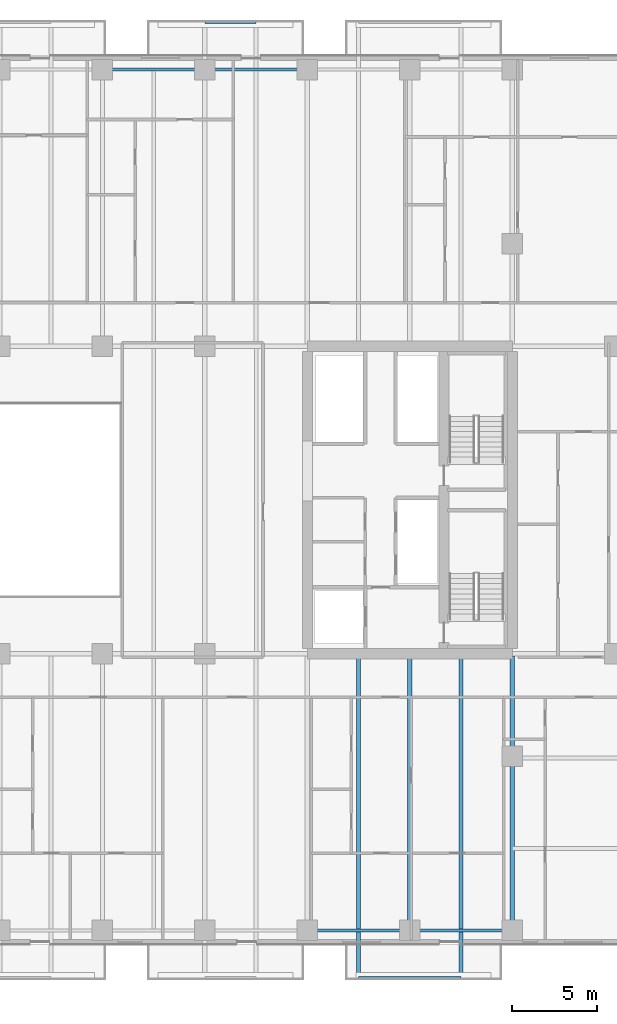
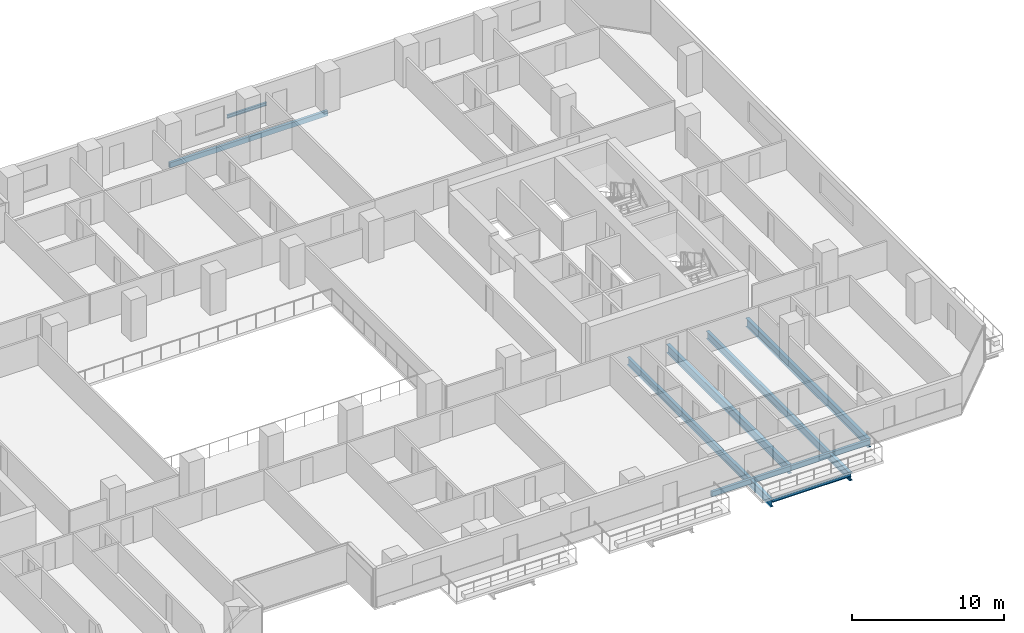
# One storey, part 12 of 33: 10 beams.
"""IFC4 building model written with IfcOpenShell, lengths in metres."""

from ifc_helpers import new_model, si_unit, direction, frame, origin, origin_2d, place, context, subcontext, project, spatial, hollow_rectangle, i_section, extrude, material, material_profile, profile_set, type_object, element, save


model = new_model("IFC4")

# Units and contexts
model_context = context("Model", 3, precision=1e-05, world=origin(), true_north=direction((0.0, 1.0)))
body_context = subcontext(model_context, "Body", "Model", "MODEL_VIEW")
ifc_project = project(units=[si_unit("LENGTHUNIT", "METRE"), si_unit("AREAUNIT", "SQUARE_METRE"), si_unit("VOLUMEUNIT", "CUBIC_METRE"), si_unit("PLANEANGLEUNIT", "RADIAN"), si_unit("MASSUNIT", "GRAM", prefix="KILO")], contexts=[model_context])

# Site, building, storey
site_placement = place(None, origin())
site = spatial("IfcSite", under=ifc_project, at=site_placement, CompositionType="ELEMENT")
building_placement = place(site_placement, origin())
building = spatial("IfcBuilding", under=site, at=building_placement, Name="Tanjung Sevakor Pilgrim Tower", CompositionType="ELEMENT")
storey_placement = place(building_placement, frame((0.0, 0.0, 38.93994140625)))
storey = spatial("IfcBuildingStorey", under=building, at=storey_placement, Name="L10", CompositionType="ELEMENT", Elevation=38.93994140625)

# Beams
ifc_material_1 = material(Name="Steel S355J2", Category="steel")
ifc_material_profile_1 = material_profile(ifc_material_1, i_section(OverallWidth=0.25439453125, OverallDepth=0.6875, WebThickness=0.01318359375, FlangeThickness=0.02099609375, FilletRadius=0.01513671875, at=origin_2d()))
ifc_profile_set_1 = profile_set([ifc_material_profile_1], Name="Steel S355J2")
beam_type_1 = type_object("IfcBeamType", Name="BM-B-G2-UB_686x254x152", PredefinedType="BEAM", material=ifc_profile_set_1)
for number, where, z_axis, x_axis, name in (
    (1, (84.0, 8.39990234375, -0.563720703125), (0.0, 1.0, 0.0), (-1.0, 0.0, 0.0), "L10 MAIN Girder 026"),
    (2, (90.0, 8.39990234375, -0.563720703125), (0.0, 1.0, 0.0), (-1.0, 0.0, 0.0), "L10 MAIN Girder 028"),
):
    element("IfcBeam", number, at=place(storey_placement, frame(where, z_axis=z_axis, x_axis=x_axis)), inside=storey, type_object=beam_type_1, Name=name, PredefinedType="BEAM", context=body_context, shape_type="SweptSolid", body=[
        extrude(i_section(OverallWidth=0.25439453125, OverallDepth=0.6875, WebThickness=0.01318359375, FlangeThickness=0.02099609375, FilletRadius=0.01513671875, at=origin_2d()), origin(), (0.0, 0.0, 1.0), 16.066162109375),
    ])
ifc_material_2 = material(Name="Steel S355J2", Category="steel")
ifc_material_profile_2 = material_profile(ifc_material_2, i_section(OverallWidth=0.22900390625, OverallDepth=0.6123046875, WebThickness=0.011962890625, FlangeThickness=0.01953125, FilletRadius=0.0126953125, at=origin_2d()))
ifc_profile_set_2 = profile_set([ifc_material_profile_2], Name="Steel S355J2")
beam_type_2 = type_object("IfcBeamType", Name="BM-B-G4-UB_610x229x125", PredefinedType="BEAM", material=ifc_profile_set_2)
for number, where, z_axis, x_axis, name in (
    (3, (81.0, 24.466064453125, -0.526123046875), (0.0, -1.0, 0.0), (1.0, 0.0, 0.0), "L10 Balcony Cantilever Beam MAIN-S4-1"),
    (4, (87.0, 24.466064453125, -0.526123046875), (0.0, -1.0, 0.0), (1.0, 0.0, 0.0), "L10 Balcony Cantilever Beam MAIN-S4-2"),
):
    element("IfcBeam", number, at=place(storey_placement, frame(where, z_axis=z_axis, x_axis=x_axis)), inside=storey, type_object=beam_type_2, Name=name, PredefinedType="BEAM", context=body_context, shape_type="SweptSolid", body=[
        extrude(i_section(OverallWidth=0.22900390625, OverallDepth=0.6123046875, WebThickness=0.011962890625, FlangeThickness=0.01953125, FilletRadius=0.0126953125, at=origin_2d()), origin(), (0.0, 0.0, 1.0), 18.845947265625),
    ])
ifc_material_3 = material(Name="Steel S355J2", Category="steel")
ifc_material_profile_3 = material_profile(ifc_material_3, i_section(OverallWidth=0.146484375, OverallDepth=0.256103515625, WebThickness=0.00634765625, FlangeThickness=0.010986328125, FilletRadius=0.007568359375, at=origin_2d()))
ifc_profile_set_3 = profile_set([ifc_material_profile_3], Name="Steel S355J2")
beam_type_3 = type_object("IfcBeamType", Name="BM-B-J6-UB_254x146x37", PredefinedType="JOIST", material=ifc_profile_set_3)
beam_1_placement = place(storey_placement, frame((72.0, 61.580078125, -0.327880859375), z_axis=(1.0, 0.0, 0.0), x_axis=(0.0, 1.0, 0.0)))
element("IfcBeam", 5, at=beam_1_placement, inside=storey, type_object=beam_type_3, Name="L10 Balcony Rim Tie MAIN-N3", PredefinedType="JOIST", context=body_context, shape_type="SweptSolid", body=[
    extrude(i_section(OverallWidth=0.146484375, OverallDepth=0.256103515625, WebThickness=0.00634765625, FlangeThickness=0.010986328125, FilletRadius=0.007568359375, at=origin_2d()), origin(), (0.0, 0.0, 1.0), 3.0),
])
beam_2_placement = place(storey_placement, frame((81.0, 5.6201171875, -0.327880859375), z_axis=(1.0, 0.0, 0.0), x_axis=(0.0, 1.0, 0.0)))
element("IfcBeam", 6, at=beam_2_placement, inside=storey, type_object=beam_type_3, Name="L10 Balcony Rim Tie MAIN-S4", PredefinedType="JOIST", context=body_context, shape_type="SweptSolid", body=[
    extrude(i_section(OverallWidth=0.146484375, OverallDepth=0.256103515625, WebThickness=0.00634765625, FlangeThickness=0.010986328125, FilletRadius=0.007568359375, at=origin_2d()), origin(), (0.0, 0.0, 1.0), 6.0),
])
ifc_material_4 = material(Name="Steel S355J2", Category="steel")
ifc_material_profile_4 = material_profile(ifc_material_4, hollow_rectangle(XDim=0.199951171875, YDim=0.39990234375, WallThickness=0.01611328125, at=origin_2d()))
ifc_profile_set_4 = profile_set([ifc_material_profile_4], Name="Steel S355J2")
beam_type_4 = type_object("IfcBeamType", Name="BM-B-SP2-RHS_400x200x16", PredefinedType="SPANDREL", material=ifc_profile_set_4)
for number, where, z_axis, x_axis, name in (
    (7, (66.0, 58.800048828125, -0.419921875), (1.0, 0.0, 0.0), (0.0, 1.0, 0.0), "L10 Spandrel MAIN N-12"),
    (8, (72.0, 58.800048828125, -0.419921875), (1.0, 0.0, 0.0), (0.0, 1.0, 0.0), "L10 Spandrel MAIN N-14"),
    (9, (78.0, 8.39990234375, -0.419921875), (1.0, 0.0, 0.0), (0.0, 1.0, 0.0), "L10 Spandrel MAIN S-15"),
    (10, (84.0, 8.39990234375, -0.419921875), (1.0, 0.0, 0.0), (0.0, 1.0, 0.0), "L10 Spandrel MAIN S-17"),
):
    element("IfcBeam", number, at=place(storey_placement, frame(where, z_axis=z_axis, x_axis=x_axis)), inside=storey, type_object=beam_type_4, Name=name, PredefinedType="SPANDREL", context=body_context, shape_type="SweptSolid", body=[
        extrude(hollow_rectangle(XDim=0.199951171875, YDim=0.39990234375, WallThickness=0.01611328125, at=origin_2d()), origin(), (0.0, 0.0, 1.0), 6.0),
    ])

save(model, "model.ifc")
